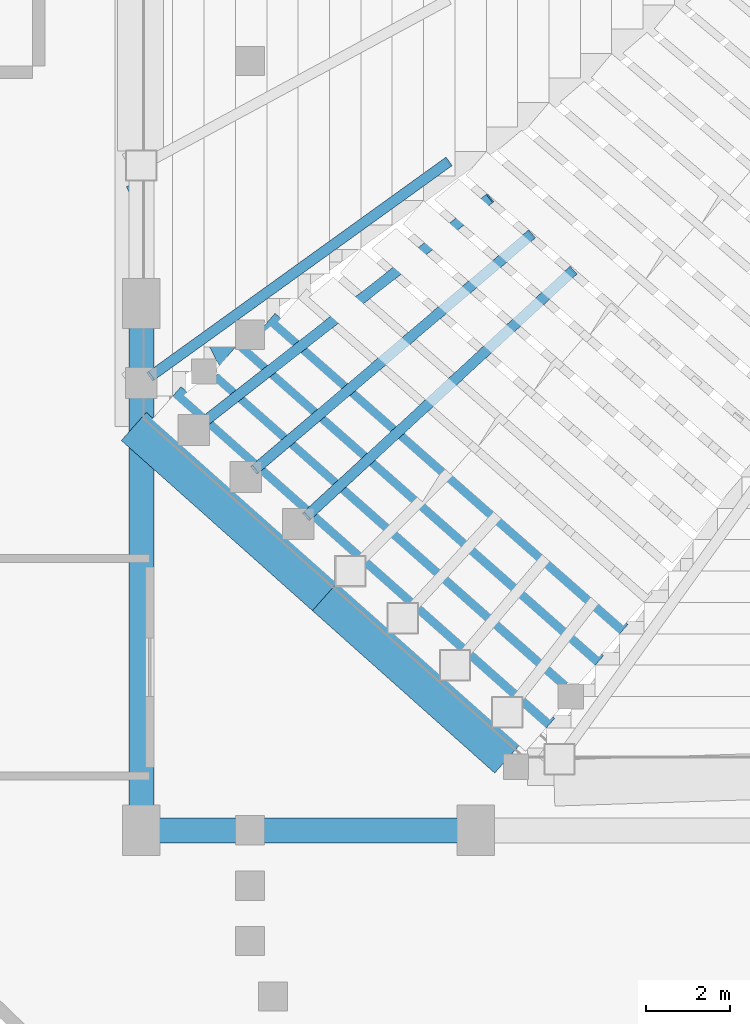
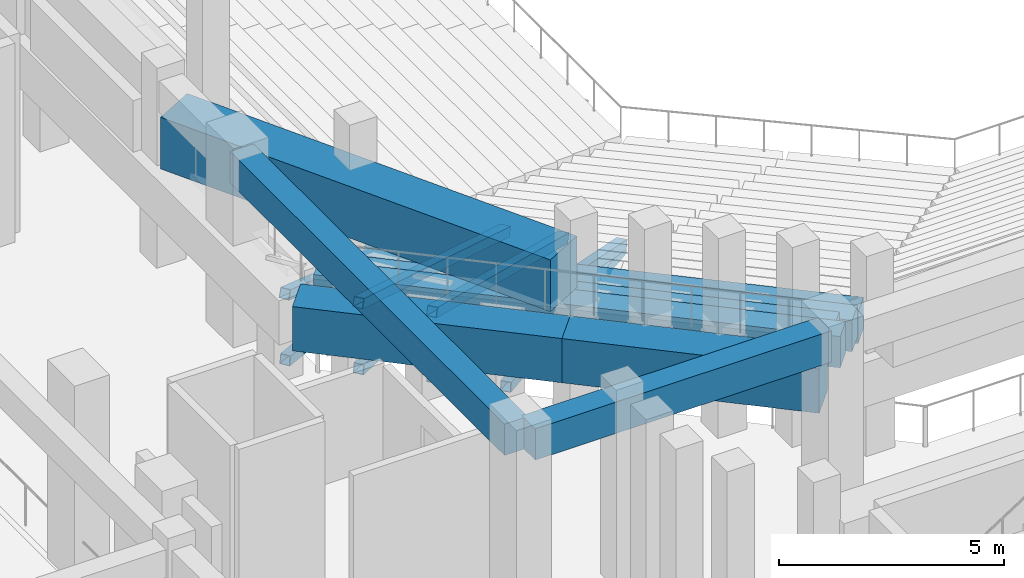
# One storey, part 27 of 159: 9 beams, 8 members.
"""IFC4 building model written with IfcOpenShell, lengths in metres."""

from ifc_helpers import new_model, si_unit, derived_unit, direction, frame, origin, origin_2d, place, context, subcontext, project, spatial, rectangle, hollow_rectangle, extrude, material, material_profile, profile_set, type_object, element, save


model = new_model("IFC4")

# Units and contexts
model_context = context("Model", 3, precision=1e-05, world=origin(), true_north=direction((0.0, 1.0)))
body_context = subcontext(model_context, "Body", "Model", "MODEL_VIEW")
ifc_project = project(units=[si_unit("LENGTHUNIT", "METRE"), si_unit("AREAUNIT", "SQUARE_METRE"), si_unit("VOLUMEUNIT", "CUBIC_METRE"), si_unit("PLANEANGLEUNIT", "RADIAN"), si_unit("MASSUNIT", "GRAM", prefix="KILO"), derived_unit("THERMALTRANSMITTANCEUNIT", [(si_unit("MASSUNIT", "GRAM", prefix="KILO"), 1), (si_unit("TIMEUNIT", "SECOND"), -3), (si_unit("THERMODYNAMICTEMPERATUREUNIT", "KELVIN"), -1)])], contexts=[model_context])

# Site, building, storey
site_placement = place(None, origin())
site = spatial("IfcSite", under=ifc_project, at=site_placement, CompositionType="ELEMENT")
building_placement = place(site_placement, origin())
building = spatial("IfcBuilding", under=site, at=building_placement, Name="Valcora Ridge Arena", CompositionType="ELEMENT")
storey_placement = place(building_placement, frame((0.0, 0.0, 6.0)))
storey = spatial("IfcBuildingStorey", under=building, at=storey_placement, Name="L01", CompositionType="ELEMENT", Elevation=6.0)

# Beams
ifc_material_1 = material(Name="Concrete C40/50", Category="concrete")
ifc_material_profile_1 = material_profile(ifc_material_1, rectangle(XDim=0.60009765625, YDim=0.85009765625, at=origin_2d()), Name="RC 600x850")
ifc_profile_set_1 = profile_set([ifc_material_profile_1], Name="Concrete C40/50")
beam_type_1 = type_object("IfcBeamType", Name="TY-BEAM-B-RC600-X", PredefinedType="BEAM", material=ifc_profile_set_1)
beam_1_placement = place(storey_placement, frame((27.0, 44.739990234375, 1.014892578125), z_axis=(0.750149332152, -0.661268462481, 0.0), x_axis=(0.661268462481, 0.750149332152, 0.0)))
element("IfcBeam", 1, at=beam_1_placement, inside=storey, type_object=beam_type_1, Name="B-RC600-X BEM-R2-B-RC600-X-0192", PredefinedType="BEAM", context=body_context, shape_type="SweptSolid", body=[
    extrude(rectangle(XDim=0.60009765625, YDim=0.85009765625, at=origin_2d()), origin(), (0.0, 0.0, 1.0), 11.2509765625),
])
beam_2_placement = place(storey_placement, frame((26.25, 44.155029296875, 1.455078125), z_axis=(0.749304061894, -0.662226111558, 0.0), x_axis=(0.662226111558, 0.749304061894, 0.0)))
element("IfcBeam", 2, at=beam_2_placement, inside=storey, type_object=beam_type_1, Name="B-RC600-X BEM-R2-B-RC600-X-0204", PredefinedType="BEAM", context=body_context, shape_type="SweptSolid", body=[
    extrude(rectangle(XDim=0.60009765625, YDim=0.85009765625, at=origin_2d()), origin(), (0.0, 0.0, 1.0), 11.48388671875),
])
beam_3_placement = place(storey_placement, frame((25.709716796875, 43.38427734375, 1.89501953125), z_axis=(0.748479246589, -0.663158214475, 0.0), x_axis=(0.663158214475, 0.748479246589, 0.0)))
element("IfcBeam", 3, at=beam_3_placement, inside=storey, type_object=beam_type_1, Name="B-RC600-X BEM-R2-B-RC600-X-0216", PredefinedType="BEAM", context=body_context, shape_type="SweptSolid", body=[
    extrude(rectangle(XDim=0.60009765625, YDim=0.85009765625, at=origin_2d()), origin(), (0.0, 0.0, 1.0), 11.15673828125),
])
beam_4_placement = place(storey_placement, frame((24.75, 42.985107421875, 2.3349609375), z_axis=(0.747709075216, -0.664026459442, 0.0), x_axis=(0.664026459442, 0.747709075216, 0.0)))
element("IfcBeam", 4, at=beam_4_placement, inside=storey, type_object=beam_type_1, Name="B-RC600-X BEM-R2-B-RC600-X-0228", PredefinedType="BEAM", context=body_context, shape_type="SweptSolid", body=[
    extrude(rectangle(XDim=0.60009765625, YDim=0.85009765625, at=origin_2d()), origin(), (0.0, 0.0, 1.0), 11.949951171875),
])
ifc_material_profile_2 = material_profile(ifc_material_1, rectangle(XDim=0.60009765625, YDim=0.85009765625, at=origin_2d()), Name="RC 600x850")
ifc_profile_set_2 = profile_set([ifc_material_profile_2], Name="Concrete C40/50")
beam_type_2 = type_object("IfcBeamType", Name="TY-BEAM-B-RC600-Y", PredefinedType="BEAM", material=ifc_profile_set_2)
beam_5_placement = place(storey_placement, frame((24.0, 32.800048828125, 4.614990234375), z_axis=(0.0, 1.0, 0.0), x_axis=(-1.0, 0.0, 0.0)))
element("IfcBeam", 5, at=beam_5_placement, inside=storey, type_object=beam_type_2, Name="B-RC600-Y BEM-B-RC600-Y-0011", PredefinedType="BEAM", context=body_context, shape_type="SweptSolid", body=[
    extrude(rectangle(XDim=0.60009765625, YDim=0.85009765625, at=origin_2d()), origin(), (0.0, 0.0, 1.0), 12.199951171875),
])
ifc_material_profile_3 = material_profile(ifc_material_1, rectangle(XDim=0.60009765625, YDim=0.85009765625, at=origin_2d()), Name="RC 600x850")
ifc_profile_set_3 = profile_set([ifc_material_profile_3], Name="Concrete C40/50")
beam_type_3 = type_object("IfcBeamType", Name="TY-BEAM-EB-RC600", PredefinedType="BEAM", material=ifc_profile_set_3)
beam_6_placement = place(storey_placement, frame((24.199951171875, 32.60009765625, 4.614990234375), z_axis=(1.0, 0.0, 0.0), x_axis=(0.0, 1.0, 0.0)))
element("IfcBeam", 6, at=beam_6_placement, inside=storey, type_object=beam_type_3, Name="EB-RC600 BEM-EB-RC600-0017", PredefinedType="BEAM", context=body_context, shape_type="SweptSolid", body=[
    extrude(rectangle(XDim=0.60009765625, YDim=0.85009765625, at=origin_2d()), origin(), (0.0, 0.0, 1.0), 7.60009765625),
])
ifc_material_2 = material(Name="Concrete C45/55", Category="concrete")
ifc_material_profile_4 = material_profile(ifc_material_2, rectangle(XDim=0.89990234375, YDim=1.199951171875, at=origin_2d()), Name="RC 900x1200")
ifc_profile_set_4 = profile_set([ifc_material_profile_4], Name="Concrete C45/55")
beam_type_4 = type_object("IfcBeamType", Name="TY-BEAM-RKR-RING-850", PredefinedType="USERDEFINED", material=ifc_profile_set_4)
beam_7_placement = place(storey_placement, frame((23.820068359375, 42.259521484375, 2.159912109375), z_axis=(0.746779446609, -0.665071769151, 0.0), x_axis=(0.665071769151, 0.746779446609, 0.0)))
element("IfcBeam", 7, at=beam_7_placement, inside=storey, type_object=beam_type_4, Name="RKR-RING-850 BEM-R2-RKR-RING-850-0015", ObjectType="RAKER", PredefinedType="USERDEFINED", context=body_context, shape_type="SweptSolid", body=[
    extrude(rectangle(XDim=0.89990234375, YDim=1.199951171875, at=origin_2d()), origin(), (0.0, 0.0, 1.0), 6.119384765625),
])
beam_8_placement = place(storey_placement, frame((28.389892578125, 38.189697265625, 2.159912109375), z_axis=(0.746774614076, -0.665077195348, 0.0), x_axis=(0.665077195348, 0.746774614076, 0.0)))
element("IfcBeam", 8, at=beam_8_placement, inside=storey, type_object=beam_type_4, Name="RKR-RING-850 BEM-R2-RKR-RING-850-0016", ObjectType="RAKER", PredefinedType="USERDEFINED", context=body_context, shape_type="SweptSolid", body=[
    extrude(rectangle(XDim=0.89990234375, YDim=1.199951171875, at=origin_2d()), origin(), (0.0, 0.0, 1.0), 5.83935546875),
])
ifc_material_profile_5 = material_profile(ifc_material_2, rectangle(XDim=1.10009765625, YDim=1.39990234375, at=origin_2d()), Name="RC 1100x1400")
ifc_profile_set_5 = profile_set([ifc_material_profile_5], Name="Concrete C45/55")
beam_type_5 = type_object("IfcBeamType", Name="TY-BEAM-RKR-URING-1100", PredefinedType="USERDEFINED", material=ifc_profile_set_5)
beam_9_placement = place(storey_placement, frame((24.130615234375, 48.2421875, 3.47509765625), z_axis=(0.461063940709, -0.887366915417, 0.0), x_axis=(0.887366915417, 0.461063940709, 0.0)))
element("IfcBeam", 9, at=beam_9_placement, inside=storey, type_object=beam_type_5, Name="RKR-URING-1100 BEM-RU2-RKR-URING-1100-0003", ObjectType="RAKER", PredefinedType="USERDEFINED", context=body_context, shape_type="SweptSolid", body=[
    extrude(rectangle(XDim=1.10009765625, YDim=1.39990234375, at=origin_2d()), origin(), (0.0, 0.0, 1.0), 10.275146484375),
])

# Members
ifc_material_3 = material(Name="Steel ASTM A500 Grade C", Category="steel")
ifc_material_profile_6 = material_profile(ifc_material_3, hollow_rectangle(XDim=0.25, YDim=0.25, WallThickness=0.012451171875, at=origin_2d()), Name="HSS250X250X12")
ifc_profile_set_6 = profile_set([ifc_material_profile_6], Name="Steel ASTM A500 Grade C")
member_type_1 = type_object("IfcMemberType", Name="TY-MEMBER-RKRC-253", PredefinedType="CHORD", material=ifc_profile_set_6)
member_1_placement = place(storey_placement, frame((31.31005859375, 48.563232421875, -1.8466796875), z_axis=(-0.791357266691, -0.569791405255, 0.221565861436), x_axis=(0.584314298042, -0.811527449384, 0.0)))
element("IfcMember", 10, at=member_1_placement, inside=storey, type_object=member_type_1, Name="RKRC-253 MBR-RK-RKRC-253-0053", PredefinedType="CHORD", context=body_context, shape_type="SweptSolid", body=[
    extrude(hollow_rectangle(XDim=0.25, YDim=0.25, WallThickness=0.012451171875, at=origin_2d()), origin(), (0.0, 0.0, 1.0), 8.957275390625),
])
member_2_placement = place(storey_placement, frame((32.30322265625, 47.693359375, -1.846435546875), z_axis=(-0.76779483786, -0.600716058298, 0.222780843561), x_axis=(0.616202108903, -0.787588065541, 0.0)))
element("IfcMember", 11, at=member_2_placement, inside=storey, type_object=member_type_1, Name="RKRC-253 MBR-RK-RKRC-253-0054", PredefinedType="CHORD", context=body_context, shape_type="SweptSolid", body=[
    extrude(hollow_rectangle(XDim=0.25, YDim=0.25, WallThickness=0.012451171875, at=origin_2d()), origin(), (0.0, 0.0, 1.0), 8.90625),
])
member_3_placement = place(storey_placement, frame((33.296630859375, 46.823486328125, -1.84619140625), z_axis=(-0.742842373714, -0.631004504947, 0.223648211599), x_axis=(0.647403273523, -0.762147624435, 0.0)))
element("IfcMember", 12, at=member_3_placement, inside=storey, type_object=member_type_1, Name="RKRC-253 MBR-RK-RKRC-253-0055", PredefinedType="CHORD", context=body_context, shape_type="SweptSolid", body=[
    extrude(hollow_rectangle(XDim=0.25, YDim=0.25, WallThickness=0.012451171875, at=origin_2d()), origin(), (0.0, 0.0, 1.0), 8.869384765625),
])
member_4_placement = place(storey_placement, frame((34.29052734375, 45.9541015625, -1.84619140625), z_axis=(-0.716549023025, -0.660534138678, 0.224169911547), x_axis=(0.677783681825, -0.735261368938, 0.0)))
element("IfcMember", 13, at=member_4_placement, inside=storey, type_object=member_type_1, Name="RKRC-253 MBR-RK-RKRC-253-0056", PredefinedType="CHORD", context=body_context, shape_type="SweptSolid", body=[
    extrude(hollow_rectangle(XDim=0.25, YDim=0.25, WallThickness=0.012451171875, at=origin_2d()), origin(), (0.0, 0.0, 1.0), 8.84765625),
])
ifc_material_profile_7 = material_profile(ifc_material_3, hollow_rectangle(XDim=0.25, YDim=0.25, WallThickness=0.012451171875, at=origin_2d()), Name="HSS250X250X12")
ifc_profile_set_7 = profile_set([ifc_material_profile_7], Name="Steel ASTM A500 Grade C")
member_type_2 = type_object("IfcMemberType", Name="TY-MEMBER-RKRD-253", PredefinedType="BRACE", material=ifc_profile_set_7)
member_5_placement = place(storey_placement, frame((31.320556640625, 48.57080078125, -1.756591796875), z_axis=(-0.747680268114, -0.538344168053, 0.388792712633), x_axis=(0.584315001442, -0.811526942923, 0.0)))
element("IfcMember", 14, at=member_5_placement, inside=storey, type_object=member_type_2, Name="RKRD-253 Raker Diagonal Brace", PredefinedType="BRACE", context=body_context, shape_type="SweptSolid", body=[
    extrude(hollow_rectangle(XDim=0.25, YDim=0.25, WallThickness=0.012451171875, at=origin_2d()), origin(), (0.0, 0.0, 1.0), 9.5107421875),
])
member_6_placement = place(storey_placement, frame((32.3134765625, 47.701416015625, -1.756103515625), z_axis=(-0.725001698451, -0.56723559098, 0.390661389913), x_axis=(0.616202456492, -0.787587793591, 0.0)))
element("IfcMember", 15, at=member_6_placement, inside=storey, type_object=member_type_2, Name="RKRD-253 Raker Diagonal Brace", PredefinedType="BRACE", context=body_context, shape_type="SweptSolid", body=[
    extrude(hollow_rectangle(XDim=0.25, YDim=0.25, WallThickness=0.012451171875, at=origin_2d()), origin(), (0.0, 0.0, 1.0), 9.462890625),
])
member_7_placement = place(storey_placement, frame((33.306640625, 46.83203125, -1.755859375), z_axis=(-0.701135776144, -0.595587341236, 0.392025946042), x_axis=(0.647409802287, -0.762142078554, 0.0)))
element("IfcMember", 16, at=member_7_placement, inside=storey, type_object=member_type_2, Name="RKRD-253 Raker Diagonal Brace", PredefinedType="BRACE", context=body_context, shape_type="SweptSolid", body=[
    extrude(hollow_rectangle(XDim=0.25, YDim=0.25, WallThickness=0.012451171875, at=origin_2d()), origin(), (0.0, 0.0, 1.0), 9.427978515625),
])
member_8_placement = place(storey_placement, frame((34.30029296875, 45.962890625, -1.755615234375), z_axis=(-0.676180964714, -0.623264711133, 0.39283635628), x_axis=(0.677750133226, -0.735292293521, 0.0)))
element("IfcMember", 17, at=member_8_placement, inside=storey, type_object=member_type_2, Name="RKRD-253 Raker Diagonal Brace", PredefinedType="BRACE", context=body_context, shape_type="SweptSolid", body=[
    extrude(hollow_rectangle(XDim=0.25, YDim=0.25, WallThickness=0.012451171875, at=origin_2d()), origin(), (0.0, 0.0, 1.0), 9.407470703125),
])

save(model, "model.ifc")
